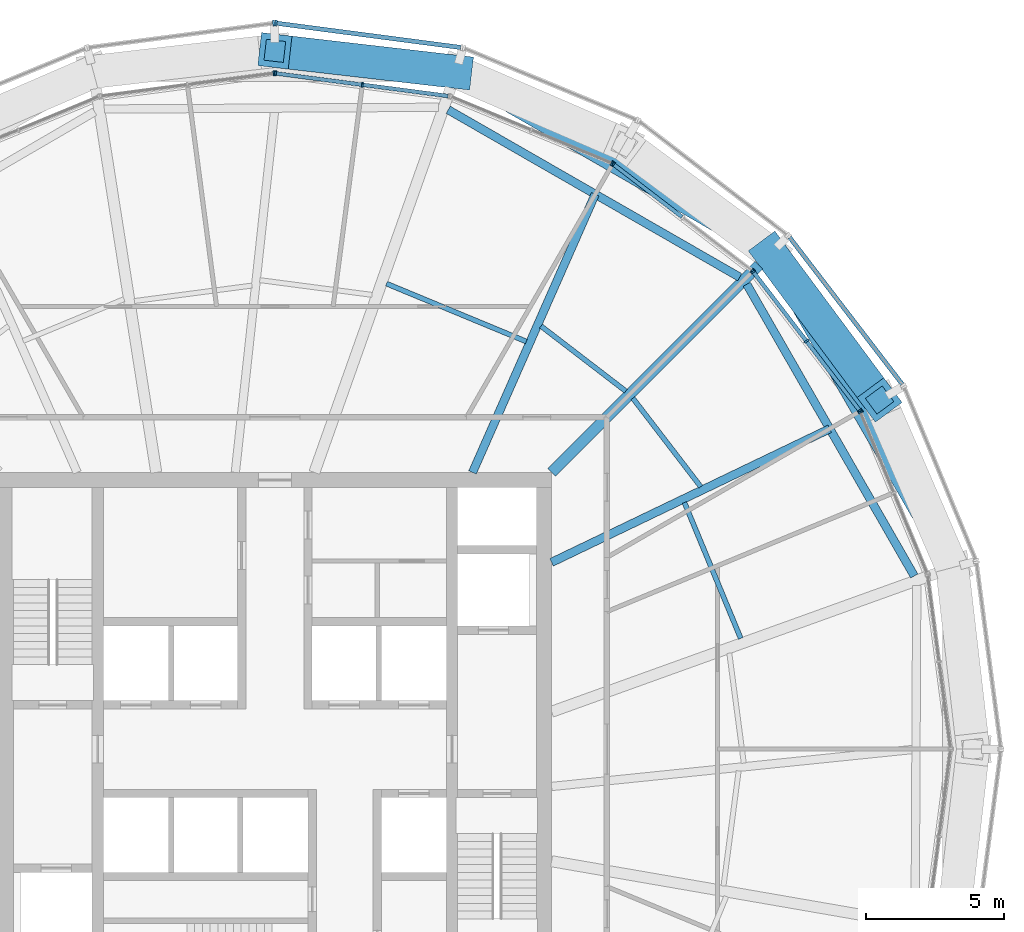
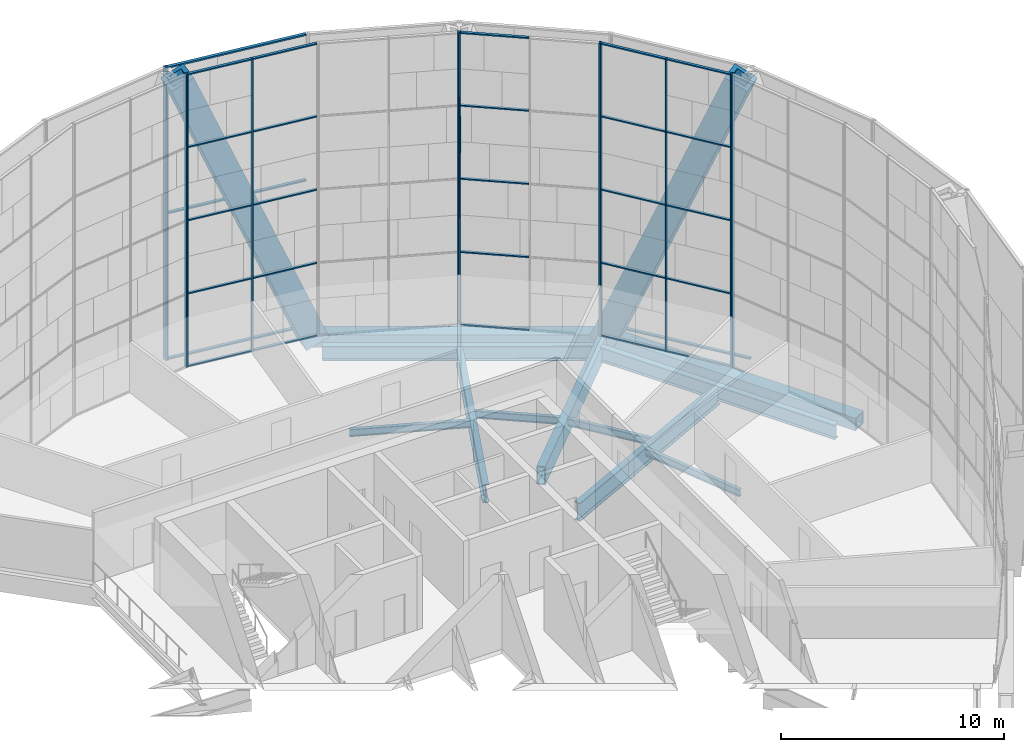
# One storey, part 10 of 28: 43 members, 11 beams, 9 elements without a shape of their own.
"""IFC4 building model written with IfcOpenShell, lengths in metres."""

from ifc_helpers import new_model, si_unit, direction, frame, origin, origin_2d, place, context, subcontext, project, spatial, rectangle, hollow_rectangle, i_section, extrude, material, material_profile, profile_set, type_object, element, aggregate, save


model = new_model("IFC4")

# Units and contexts
model_context = context("Model", 3, precision=1e-05, world=origin(), true_north=direction((0.0, 1.0)))
body_context = subcontext(model_context, "Body", "Model", "MODEL_VIEW")
ifc_project = project(units=[si_unit("LENGTHUNIT", "METRE"), si_unit("AREAUNIT", "SQUARE_METRE"), si_unit("VOLUMEUNIT", "CUBIC_METRE"), si_unit("PLANEANGLEUNIT", "RADIAN"), si_unit("MASSUNIT", "GRAM", prefix="KILO")], contexts=[model_context])

# Site, building, storey
site_placement = place(None, origin())
site = spatial("IfcSite", under=ifc_project, at=site_placement, CompositionType="ELEMENT")
building_placement = place(site_placement, origin())
building = spatial("IfcBuilding", under=site, at=building_placement, Name="Golbaran Civic Tower", CompositionType="ELEMENT")
storey_placement = place(building_placement, frame((0.0, 0.0, 134.0)))
storey = spatial("IfcBuildingStorey", under=building, at=storey_placement, Name="L32", CompositionType="ELEMENT", Elevation=134.0)

# Members
ifc_material_1 = material(Name="Steel S355", Category="steel")
ifc_material_profile_1 = material_profile(ifc_material_1, hollow_rectangle(XDim=1.199951171875, YDim=1.199951171875, WallThickness=0.219970703125, at=origin_2d()), Name="BOX 1200x1200x220")
ifc_profile_set_1 = profile_set([ifc_material_profile_1], Name="Steel S355")
member_type_1 = type_object("IfcMemberType", Name="DIAGRID DIAGONAL BOX 1200x1200x220", PredefinedType="BRACE", material=ifc_profile_set_1)
for number, where, z_axis, x_axis, name in (
    (1, (17.91796875, 17.91796875, -0.7099609375), (0.227361182302, -0.306265484914, 0.924396205927), (0.802932458843, 0.59607001815, 0.0), "Diagonal D07-01L L32-L36"),
    (2, (6.55859375, 24.4765625, -0.7099609375), (-0.37892043084, 0.043754138493, 0.92439433277), (-0.114708322129, -0.993399215237, 0.0), "Diagonal D07-02R L32-L36"),
):
    element("IfcMember", number, at=place(storey_placement, frame(where, z_axis=z_axis, x_axis=x_axis)), inside=storey, type_object=member_type_1, Name=name, PredefinedType="BRACE", context=body_context, shape_type="SweptSolid", body=[
        extrude(hollow_rectangle(XDim=1.199951171875, YDim=1.199951171875, WallThickness=0.219970703125, at=origin_2d()), origin(), (0.0, 0.0, 1.0), 17.30859375),
    ])

# Beams
ifc_material_profile_2 = material_profile(ifc_material_1, hollow_rectangle(XDim=0.699951171875, YDim=0.699951171875, WallThickness=0.080078125, at=origin_2d()), Name="BOX 700x700x80")
ifc_profile_set_2 = profile_set([ifc_material_profile_2], Name="Steel S355")
beam_type_1 = type_object("IfcBeamType", Name="DIAGRID RING TIE BOX 700x700x80", PredefinedType="BEAM", material=ifc_profile_set_2)
for number, where, z_axis, x_axis, name in (
    (3, (24.4765625, 6.55859375, -0.7099609375), (-0.500014611105, 0.866016967894, 0.0), (-0.866016967894, -0.500014611105, 0.0), "Ring tie 15.00 L32"),
    (4, (17.91796875, 17.91796875, -0.7099609375), (-0.866016967894, 0.500014611105, 0.0), (-0.500014611105, -0.866016967894, 0.0), "Ring tie 45.00 L32"),
):
    element("IfcBeam", number, at=place(storey_placement, frame(where, z_axis=z_axis, x_axis=x_axis)), inside=storey, type_object=beam_type_1, Name=name, PredefinedType="BEAM", context=body_context, shape_type="SweptSolid", body=[
        extrude(hollow_rectangle(XDim=0.699951171875, YDim=0.699951171875, WallThickness=0.080078125, at=origin_2d()), origin(), (0.0, 0.0, 1.0), 13.11669921875),
    ])
ifc_material_profile_3 = material_profile(ifc_material_1, i_section(OverallWidth=0.300048828125, OverallDepth=0.800048828125, WebThickness=0.017578125, FlangeThickness=0.032958984375, FilletRadius=0.030029296875, at=origin_2d()), Name="HEB 800")
ifc_profile_set_3 = profile_set([ifc_material_profile_3], Name="Steel S355")
beam_type_2 = type_object("IfcBeamType", Name="EDGE BEAM HEB 800", PredefinedType="BEAM", material=ifc_profile_set_3)
beam_1_placement = place(storey_placement, frame((23.106689453125, 6.2568359375, -0.60009765625), z_axis=(-0.497941643608, 0.86721053935, 0.0), x_axis=(-0.86721053935, -0.497941643608, 0.0)))
element("IfcBeam", 5, at=beam_1_placement, inside=storey, type_object=beam_type_2, Name="Edge beam 15.00 L32", PredefinedType="BEAM", context=body_context, shape_type="SweptSolid", body=[
    extrude(i_section(OverallWidth=0.300048828125, OverallDepth=0.800048828125, WebThickness=0.017578125, FlangeThickness=0.032958984375, FilletRadius=0.030029296875, at=origin_2d()), origin(), (0.0, 0.0, 1.0), 12.156494140625),
])
beam_2_placement = place(storey_placement, frame((16.799072265625, 17.053466796875, -0.60009765625), z_axis=(-0.867136748717, 0.498070134644, 0.0), x_axis=(-0.498070134644, -0.867136748717, 0.0)))
element("IfcBeam", 6, at=beam_2_placement, inside=storey, type_object=beam_type_2, Name="Edge beam 45.00 L32", PredefinedType="BEAM", context=body_context, shape_type="SweptSolid", body=[
    extrude(i_section(OverallWidth=0.300048828125, OverallDepth=0.800048828125, WebThickness=0.017578125, FlangeThickness=0.032958984375, FilletRadius=0.030029296875, at=origin_2d()), origin(), (0.0, 0.0, 1.0), 12.14990234375),
])
ifc_material_profile_4 = material_profile(ifc_material_1, i_section(OverallWidth=0.179931640625, OverallDepth=0.39990234375, WebThickness=0.008544921875, FlangeThickness=0.013427734375, FilletRadius=0.02099609375, at=origin_2d()), Name="IPE 400")
ifc_profile_set_4 = profile_set([ifc_material_profile_4], Name="Steel S355")
beam_type_3 = type_object("IfcBeamType", Name="FLOOR INFILL BEAM IPE 400", PredefinedType="BEAM", material=ifc_profile_set_4)
beam_3_placement = place(storey_placement, frame((16.835693359375, 4.000732421875, -0.39990234375), z_axis=(-0.382647920612, 0.923894241161, 0.0), x_axis=(-0.923894241161, -0.382647920612, 0.0)))
element("IfcBeam", 7, at=beam_3_placement, inside=storey, type_object=beam_type_3, Name="Infill beam 22.50 L32", PredefinedType="BEAM", context=body_context, shape_type="SweptSolid", body=[
    extrude(i_section(OverallWidth=0.179931640625, OverallDepth=0.39990234375, WebThickness=0.008544921875, FlangeThickness=0.013427734375, FilletRadius=0.02099609375, at=origin_2d()), origin(), (0.0, 0.0, 1.0), 5.3154296875),
])
beam_4_placement = place(storey_placement, frame((15.390625, 9.48291015625, -0.39990234375), z_axis=(-0.608779791041, 0.793339250271, 0.0), x_axis=(-0.793339250271, -0.608779791041, 0.0)))
element("IfcBeam", 8, at=beam_4_placement, inside=storey, type_object=beam_type_3, Name="Infill beam 37.50 L32", PredefinedType="BEAM", context=body_context, shape_type="SweptSolid", body=[
    extrude(i_section(OverallWidth=0.179931640625, OverallDepth=0.39990234375, WebThickness=0.008544921875, FlangeThickness=0.013427734375, FilletRadius=0.02099609375, at=origin_2d()), origin(), (0.0, 0.0, 1.0), 4.031982421875),
])
beam_5_placement = place(storey_placement, frame((12.681640625, 12.936279296875, -0.39990234375), z_axis=(-0.793344823717, 0.608772527864, 0.0), x_axis=(-0.608772527864, -0.793344823717, 0.0)))
element("IfcBeam", 9, at=beam_5_placement, inside=storey, type_object=beam_type_3, Name="Infill beam 52.50 L32", PredefinedType="BEAM", context=body_context, shape_type="SweptSolid", body=[
    extrude(i_section(OverallWidth=0.179931640625, OverallDepth=0.39990234375, WebThickness=0.008544921875, FlangeThickness=0.013427734375, FilletRadius=0.02099609375, at=origin_2d()), origin(), (0.0, 0.0, 1.0), 3.8623046875),
])
beam_6_placement = place(storey_placement, frame((9.087158203125, 14.7294921875, -0.39990234375), z_axis=(-0.923870401545, 0.382705475725, 0.0), x_axis=(-0.382705475725, -0.923870401545, 0.0)))
element("IfcBeam", 10, at=beam_6_placement, inside=storey, type_object=beam_type_3, Name="Infill beam 67.50 L32", PredefinedType="BEAM", context=body_context, shape_type="SweptSolid", body=[
    extrude(i_section(OverallWidth=0.179931640625, OverallDepth=0.39990234375, WebThickness=0.008544921875, FlangeThickness=0.013427734375, FilletRadius=0.02099609375, at=origin_2d()), origin(), (0.0, 0.0, 1.0), 5.466552734375),
])

# Curtain wall, member
ifc_material_2 = material(Name="Aluminium and glass", Category="aluminium")
curtain_wall_type_1 = type_object("IfcCurtainWallType", Name="INNER SKIN CURTAIN WALL", PredefinedType="NOTDEFINED", material=ifc_material_2)
curtain_wall_1_placement = place(storey_placement, origin())
curtain_wall_1 = element("IfcCurtainWall", 11, at=curtain_wall_1_placement, inside=storey, type_object=curtain_wall_type_1, Name="Inner skin L32 facet 2 CW1", ObjectType="INNER SKIN", PredefinedType="USERDEFINED")
ifc_material_3 = material(Name="Aluminium", Category="aluminium")
ifc_material_profile_5 = material_profile(ifc_material_3, rectangle(XDim=0.179931640625, YDim=0.06494140625, at=origin_2d()), Name="INNER SKIN CURTAIN WALL MULLION")
ifc_profile_set_5 = profile_set([ifc_material_profile_5], Name="Aluminium")
member_type_2 = type_object("IfcMemberType", Name="INNER SKIN CURTAIN WALL MULLION", PredefinedType="MULLION", material=ifc_profile_set_5)
member_1_placement = place(storey_placement, frame((21.1650390625, 12.182373046875, 0.0), z_axis=(0.0, 0.0, 1.0), x_axis=(-0.923879532485, -0.38268343243, 0.0)))
member_1 = element("IfcMember", 12, at=member_1_placement, type_object=member_type_2, Name="CW1 mullion 3", PredefinedType="MULLION", context=body_context, shape_type="SweptSolid", body=[
    extrude(rectangle(XDim=0.179931640625, YDim=0.06494140625, at=origin_2d()), origin(), (0.0, 0.0, 1.0), 16.0),
])
aggregate(curtain_wall_1, [member_1])

# Curtain wall, members
curtain_wall_2_placement = place(storey_placement, origin())
curtain_wall_2 = element("IfcCurtainWall", 13, at=curtain_wall_2_placement, inside=storey, type_object=curtain_wall_type_1, Name="Inner skin L32 facet 3 CW1", ObjectType="INNER SKIN", PredefinedType="USERDEFINED")
member_2_placement = place(storey_placement, frame((21.1328125, 12.23828125, 0.0), z_axis=(0.0, 0.0, 1.0), x_axis=(-0.793353340259, -0.60876142905, 0.0)))
member_2 = element("IfcMember", 14, at=member_2_placement, type_object=member_type_2, Name="CW1 mullion 1", PredefinedType="MULLION", context=body_context, shape_type="SweptSolid", body=[
    extrude(rectangle(XDim=0.179931640625, YDim=0.06494140625, at=origin_2d()), origin(), (0.0, 0.0, 1.0), 16.0),
])
member_3_placement = place(storey_placement, frame((19.2119140625, 14.74169921875, 0.0), z_axis=(0.0, 0.0, 1.0), x_axis=(-0.793353340259, -0.60876142905, 0.0)))
member_3 = element("IfcMember", 15, at=member_3_placement, type_object=member_type_2, Name="CW1 mullion 2", PredefinedType="MULLION", context=body_context, shape_type="SweptSolid", body=[
    extrude(rectangle(XDim=0.179931640625, YDim=0.06494140625, at=origin_2d()), origin(), (0.0, 0.0, 1.0), 16.0),
])
member_4_placement = place(storey_placement, frame((17.290771484375, 17.245361328125, 0.0), z_axis=(0.0, 0.0, 1.0), x_axis=(-0.793353340259, -0.60876142905, 0.0)))
member_4 = element("IfcMember", 16, at=member_4_placement, type_object=member_type_2, Name="CW1 mullion 3", PredefinedType="MULLION", context=body_context, shape_type="SweptSolid", body=[
    extrude(rectangle(XDim=0.179931640625, YDim=0.06494140625, at=origin_2d()), origin(), (0.0, 0.0, 1.0), 16.0),
])

curtain_wall_3_placement = place(storey_placement, origin())
curtain_wall_3 = element("IfcCurtainWall", 17, at=curtain_wall_3_placement, inside=storey, type_object=curtain_wall_type_1, Name="Inner skin L32 facet 4 CW1", ObjectType="INNER SKIN", PredefinedType="USERDEFINED")
member_5_placement = place(storey_placement, frame((17.245361328125, 17.290771484375, 0.0), z_axis=(0.0, 0.0, 1.0), x_axis=(-0.60876142905, -0.793353340259, 0.0)))
member_5 = element("IfcMember", 18, at=member_5_placement, type_object=member_type_2, Name="CW1 mullion 1", PredefinedType="MULLION", context=body_context, shape_type="SweptSolid", body=[
    extrude(rectangle(XDim=0.179931640625, YDim=0.06494140625, at=origin_2d()), origin(), (0.0, 0.0, 1.0), 16.0),
])
member_6_placement = place(storey_placement, frame((12.23828125, 21.1328125, 0.0), z_axis=(0.0, 0.0, 1.0), x_axis=(-0.60876142905, -0.793353340259, 0.0)))
member_6 = element("IfcMember", 19, at=member_6_placement, type_object=member_type_2, Name="CW1 mullion 3", PredefinedType="MULLION", context=body_context, shape_type="SweptSolid", body=[
    extrude(rectangle(XDim=0.179931640625, YDim=0.06494140625, at=origin_2d()), origin(), (0.0, 0.0, 1.0), 16.0),
])

# Curtain wall, member
curtain_wall_4_placement = place(storey_placement, origin())
curtain_wall_4 = element("IfcCurtainWall", 20, at=curtain_wall_4_placement, inside=storey, type_object=curtain_wall_type_1, Name="Inner skin L32 facet 5 CW1", ObjectType="INNER SKIN", PredefinedType="USERDEFINED")
member_7_placement = place(storey_placement, frame((12.182373046875, 21.1650390625, 0.0), z_axis=(0.0, 0.0, 1.0), x_axis=(-0.38268343243, -0.923879532485, 0.0)))
member_7 = element("IfcMember", 21, at=member_7_placement, type_object=member_type_2, Name="CW1 mullion 1", PredefinedType="MULLION", context=body_context, shape_type="SweptSolid", body=[
    extrude(rectangle(XDim=0.179931640625, YDim=0.06494140625, at=origin_2d()), origin(), (0.0, 0.0, 1.0), 16.0),
])
aggregate(curtain_wall_4, [member_7])

# Curtain wall, members
curtain_wall_5_placement = place(storey_placement, origin())
curtain_wall_5 = element("IfcCurtainWall", 22, at=curtain_wall_5_placement, inside=storey, type_object=curtain_wall_type_1, Name="Inner skin L32 facet 6 CW1", ObjectType="INNER SKIN", PredefinedType="USERDEFINED")
member_8_placement = place(storey_placement, frame((3.160888671875, 24.0087890625, 0.0), z_axis=(0.0, 0.0, 1.0), x_axis=(-0.130526192237, -0.991444861372, 0.0)))
member_8 = element("IfcMember", 23, at=member_8_placement, type_object=member_type_2, Name="CW1 mullion 2", PredefinedType="MULLION", context=body_context, shape_type="SweptSolid", body=[
    extrude(rectangle(XDim=0.179931640625, YDim=0.06494140625, at=origin_2d()), origin(), (0.0, 0.0, 1.0), 16.0),
])
member_9_placement = place(storey_placement, frame((0.0322265625, 24.420654296875, 0.0), z_axis=(0.0, 0.0, 1.0), x_axis=(-0.130526192237, -0.991444861372, 0.0)))
member_9 = element("IfcMember", 24, at=member_9_placement, type_object=member_type_2, Name="CW1 mullion 3", PredefinedType="MULLION", context=body_context, shape_type="SweptSolid", body=[
    extrude(rectangle(XDim=0.179931640625, YDim=0.06494140625, at=origin_2d()), origin(), (0.0, 0.0, 1.0), 16.0),
])

# Curtain wall, member
curtain_wall_6_placement = place(storey_placement, origin())
curtain_wall_6 = element("IfcCurtainWall", 25, at=curtain_wall_6_placement, inside=storey, type_object=curtain_wall_type_1, Name="Inner skin L32 facet 7 CW1", ObjectType="INNER SKIN", PredefinedType="USERDEFINED")
member_10_placement = place(storey_placement, frame((-0.0322265625, 24.420654296875, 0.0), z_axis=(0.0, 0.0, 1.0), x_axis=(0.130526192237, -0.991444861372, 0.0)))
member_10 = element("IfcMember", 26, at=member_10_placement, type_object=member_type_2, Name="CW1 mullion 1", PredefinedType="MULLION", context=body_context, shape_type="SweptSolid", body=[
    extrude(rectangle(XDim=0.179931640625, YDim=0.06494140625, at=origin_2d()), origin(), (0.0, 0.0, 1.0), 16.0),
])
aggregate(curtain_wall_6, [member_10])

# Member
ifc_material_profile_6 = material_profile(ifc_material_3, rectangle(XDim=0.139892578125, YDim=0.06494140625, at=origin_2d()), Name="INNER SKIN CURTAIN WALL TRANSOM")
ifc_profile_set_6 = profile_set([ifc_material_profile_6], Name="Aluminium")
member_type_3 = type_object("IfcMemberType", Name="INNER SKIN CURTAIN WALL TRANSOM", PredefinedType="USERDEFINED", material=ifc_profile_set_6)
member_11_placement = place(storey_placement, frame((21.113037109375, 12.26416015625, 0.032470703125), z_axis=(-0.608748255763, 0.793363448304, 0.0), x_axis=(-0.793363448304, -0.608748255763, 0.0)))
member_11 = element("IfcMember", 27, at=member_11_placement, type_object=member_type_3, Name="CW1 transom 1.1", ObjectType="TRANSOM", PredefinedType="USERDEFINED", context=body_context, shape_type="SweptSolid", body=[
    extrude(rectangle(XDim=0.139892578125, YDim=0.06494140625, at=origin_2d()), origin(), (0.0, 0.0, 1.0), 3.090576171875),
])

member_12_placement = place(storey_placement, frame((21.113037109375, 12.26416015625, 4.0), z_axis=(-0.608748255763, 0.793363448304, 0.0), x_axis=(-0.793363448304, -0.608748255763, 0.0)))
member_12 = element("IfcMember", 28, at=member_12_placement, type_object=member_type_3, Name="CW1 transom 1.2", ObjectType="TRANSOM", PredefinedType="USERDEFINED", context=body_context, shape_type="SweptSolid", body=[
    extrude(rectangle(XDim=0.139892578125, YDim=0.06494140625, at=origin_2d()), origin(), (0.0, 0.0, 1.0), 3.090576171875),
])

member_13_placement = place(storey_placement, frame((21.113037109375, 12.26416015625, 8.0), z_axis=(-0.608748255763, 0.793363448304, 0.0), x_axis=(-0.793363448304, -0.608748255763, 0.0)))
member_13 = element("IfcMember", 29, at=member_13_placement, type_object=member_type_3, Name="CW1 transom 1.3", ObjectType="TRANSOM", PredefinedType="USERDEFINED", context=body_context, shape_type="SweptSolid", body=[
    extrude(rectangle(XDim=0.139892578125, YDim=0.06494140625, at=origin_2d()), origin(), (0.0, 0.0, 1.0), 3.090576171875),
])

member_14_placement = place(storey_placement, frame((21.113037109375, 12.26416015625, 12.0), z_axis=(-0.608748255763, 0.793363448304, 0.0), x_axis=(-0.793363448304, -0.608748255763, 0.0)))
member_14 = element("IfcMember", 30, at=member_14_placement, type_object=member_type_3, Name="CW1 transom 1.4", ObjectType="TRANSOM", PredefinedType="USERDEFINED", context=body_context, shape_type="SweptSolid", body=[
    extrude(rectangle(XDim=0.139892578125, YDim=0.06494140625, at=origin_2d()), origin(), (0.0, 0.0, 1.0), 3.090576171875),
])

member_15_placement = place(storey_placement, frame((21.113037109375, 12.26416015625, 15.967529296875), z_axis=(-0.608748255763, 0.793363448304, 0.0), x_axis=(-0.793363448304, -0.608748255763, 0.0)))
member_15 = element("IfcMember", 31, at=member_15_placement, type_object=member_type_3, Name="CW1 transom 1.5", ObjectType="TRANSOM", PredefinedType="USERDEFINED", context=body_context, shape_type="SweptSolid", body=[
    extrude(rectangle(XDim=0.139892578125, YDim=0.06494140625, at=origin_2d()), origin(), (0.0, 0.0, 1.0), 3.090576171875),
])

member_16_placement = place(storey_placement, frame((19.192138671875, 14.767578125, 0.032470703125), z_axis=(-0.608797974693, 0.793325296464, 0.0), x_axis=(-0.793325296464, -0.608797974693, 0.0)))
member_16 = element("IfcMember", 32, at=member_16_placement, type_object=member_type_3, Name="CW1 transom 2.1", ObjectType="TRANSOM", PredefinedType="USERDEFINED", context=body_context, shape_type="SweptSolid", body=[
    extrude(rectangle(XDim=0.139892578125, YDim=0.06494140625, at=origin_2d()), origin(), (0.0, 0.0, 1.0), 3.090576171875),
])

member_17_placement = place(storey_placement, frame((19.192138671875, 14.767578125, 4.0), z_axis=(-0.608797974693, 0.793325296464, 0.0), x_axis=(-0.793325296464, -0.608797974693, 0.0)))
member_17 = element("IfcMember", 33, at=member_17_placement, type_object=member_type_3, Name="CW1 transom 2.2", ObjectType="TRANSOM", PredefinedType="USERDEFINED", context=body_context, shape_type="SweptSolid", body=[
    extrude(rectangle(XDim=0.139892578125, YDim=0.06494140625, at=origin_2d()), origin(), (0.0, 0.0, 1.0), 3.090576171875),
])

member_18_placement = place(storey_placement, frame((19.192138671875, 14.767578125, 8.0), z_axis=(-0.608797974693, 0.793325296464, 0.0), x_axis=(-0.793325296464, -0.608797974693, 0.0)))
member_18 = element("IfcMember", 34, at=member_18_placement, type_object=member_type_3, Name="CW1 transom 2.3", ObjectType="TRANSOM", PredefinedType="USERDEFINED", context=body_context, shape_type="SweptSolid", body=[
    extrude(rectangle(XDim=0.139892578125, YDim=0.06494140625, at=origin_2d()), origin(), (0.0, 0.0, 1.0), 3.090576171875),
])

member_19_placement = place(storey_placement, frame((19.192138671875, 14.767578125, 12.0), z_axis=(-0.608797974693, 0.793325296464, 0.0), x_axis=(-0.793325296464, -0.608797974693, 0.0)))
member_19 = element("IfcMember", 35, at=member_19_placement, type_object=member_type_3, Name="CW1 transom 2.4", ObjectType="TRANSOM", PredefinedType="USERDEFINED", context=body_context, shape_type="SweptSolid", body=[
    extrude(rectangle(XDim=0.139892578125, YDim=0.06494140625, at=origin_2d()), origin(), (0.0, 0.0, 1.0), 3.090576171875),
])

member_20_placement = place(storey_placement, frame((19.192138671875, 14.767578125, 15.967529296875), z_axis=(-0.608797974693, 0.793325296464, 0.0), x_axis=(-0.793325296464, -0.608797974693, 0.0)))
member_20 = element("IfcMember", 36, at=member_20_placement, type_object=member_type_3, Name="CW1 transom 2.5", ObjectType="TRANSOM", PredefinedType="USERDEFINED", context=body_context, shape_type="SweptSolid", body=[
    extrude(rectangle(XDim=0.139892578125, YDim=0.06494140625, at=origin_2d()), origin(), (0.0, 0.0, 1.0), 3.090576171875),
])

aggregate(curtain_wall_2, [member_2, member_3, member_4, member_11, member_12, member_13, member_14, member_15, member_16, member_17, member_18, member_19, member_20])

member_21_placement = place(storey_placement, frame((14.716064453125, 19.231689453125, 0.032470703125), z_axis=(-0.793363448304, 0.608748255763, 0.0), x_axis=(-0.608748255763, -0.793363448304, 0.0)))
member_21 = element("IfcMember", 37, at=member_21_placement, type_object=member_type_3, Name="CW1 transom 2.1", ObjectType="TRANSOM", PredefinedType="USERDEFINED", context=body_context, shape_type="SweptSolid", body=[
    extrude(rectangle(XDim=0.139892578125, YDim=0.06494140625, at=origin_2d()), origin(), (0.0, 0.0, 1.0), 3.090576171875),
])

member_22_placement = place(storey_placement, frame((14.716064453125, 19.231689453125, 4.0), z_axis=(-0.793363448304, 0.608748255763, 0.0), x_axis=(-0.608748255763, -0.793363448304, 0.0)))
member_22 = element("IfcMember", 38, at=member_22_placement, type_object=member_type_3, Name="CW1 transom 2.2", ObjectType="TRANSOM", PredefinedType="USERDEFINED", context=body_context, shape_type="SweptSolid", body=[
    extrude(rectangle(XDim=0.139892578125, YDim=0.06494140625, at=origin_2d()), origin(), (0.0, 0.0, 1.0), 3.090576171875),
])

member_23_placement = place(storey_placement, frame((14.716064453125, 19.231689453125, 8.0), z_axis=(-0.793363448304, 0.608748255763, 0.0), x_axis=(-0.608748255763, -0.793363448304, 0.0)))
member_23 = element("IfcMember", 39, at=member_23_placement, type_object=member_type_3, Name="CW1 transom 2.3", ObjectType="TRANSOM", PredefinedType="USERDEFINED", context=body_context, shape_type="SweptSolid", body=[
    extrude(rectangle(XDim=0.139892578125, YDim=0.06494140625, at=origin_2d()), origin(), (0.0, 0.0, 1.0), 3.090576171875),
])

member_24_placement = place(storey_placement, frame((14.716064453125, 19.231689453125, 12.0), z_axis=(-0.793363448304, 0.608748255763, 0.0), x_axis=(-0.608748255763, -0.793363448304, 0.0)))
member_24 = element("IfcMember", 40, at=member_24_placement, type_object=member_type_3, Name="CW1 transom 2.4", ObjectType="TRANSOM", PredefinedType="USERDEFINED", context=body_context, shape_type="SweptSolid", body=[
    extrude(rectangle(XDim=0.139892578125, YDim=0.06494140625, at=origin_2d()), origin(), (0.0, 0.0, 1.0), 3.090576171875),
])

member_25_placement = place(storey_placement, frame((14.716064453125, 19.231689453125, 15.967529296875), z_axis=(-0.793363448304, 0.608748255763, 0.0), x_axis=(-0.608748255763, -0.793363448304, 0.0)))
member_25 = element("IfcMember", 41, at=member_25_placement, type_object=member_type_3, Name="CW1 transom 2.5", ObjectType="TRANSOM", PredefinedType="USERDEFINED", context=body_context, shape_type="SweptSolid", body=[
    extrude(rectangle(XDim=0.139892578125, YDim=0.06494140625, at=origin_2d()), origin(), (0.0, 0.0, 1.0), 3.090576171875),
])

aggregate(curtain_wall_3, [member_5, member_6, member_21, member_22, member_23, member_24, member_25])

member_26_placement = place(storey_placement, frame((6.25732421875, 23.601318359375, 0.032470703125), z_axis=(-0.991448648373, 0.13049742388, 0.0), x_axis=(-0.13049742388, -0.991448648373, 0.0)))
member_26 = element("IfcMember", 42, at=member_26_placement, type_object=member_type_3, Name="CW1 transom 1.1", ObjectType="TRANSOM", PredefinedType="USERDEFINED", context=body_context, shape_type="SweptSolid", body=[
    extrude(rectangle(XDim=0.139892578125, YDim=0.06494140625, at=origin_2d()), origin(), (0.0, 0.0, 1.0), 3.090576171875),
])

member_27_placement = place(storey_placement, frame((6.25732421875, 23.601318359375, 4.0), z_axis=(-0.991448648373, 0.13049742388, 0.0), x_axis=(-0.13049742388, -0.991448648373, 0.0)))
member_27 = element("IfcMember", 43, at=member_27_placement, type_object=member_type_3, Name="CW1 transom 1.2", ObjectType="TRANSOM", PredefinedType="USERDEFINED", context=body_context, shape_type="SweptSolid", body=[
    extrude(rectangle(XDim=0.139892578125, YDim=0.06494140625, at=origin_2d()), origin(), (0.0, 0.0, 1.0), 3.090576171875),
])

member_28_placement = place(storey_placement, frame((6.25732421875, 23.601318359375, 8.0), z_axis=(-0.991448648373, 0.13049742388, 0.0), x_axis=(-0.13049742388, -0.991448648373, 0.0)))
member_28 = element("IfcMember", 44, at=member_28_placement, type_object=member_type_3, Name="CW1 transom 1.3", ObjectType="TRANSOM", PredefinedType="USERDEFINED", context=body_context, shape_type="SweptSolid", body=[
    extrude(rectangle(XDim=0.139892578125, YDim=0.06494140625, at=origin_2d()), origin(), (0.0, 0.0, 1.0), 3.090576171875),
])

member_29_placement = place(storey_placement, frame((6.25732421875, 23.601318359375, 12.0), z_axis=(-0.991448648373, 0.13049742388, 0.0), x_axis=(-0.13049742388, -0.991448648373, 0.0)))
member_29 = element("IfcMember", 45, at=member_29_placement, type_object=member_type_3, Name="CW1 transom 1.4", ObjectType="TRANSOM", PredefinedType="USERDEFINED", context=body_context, shape_type="SweptSolid", body=[
    extrude(rectangle(XDim=0.139892578125, YDim=0.06494140625, at=origin_2d()), origin(), (0.0, 0.0, 1.0), 3.090576171875),
])

member_30_placement = place(storey_placement, frame((6.25732421875, 23.601318359375, 15.967529296875), z_axis=(-0.991448648373, 0.13049742388, 0.0), x_axis=(-0.13049742388, -0.991448648373, 0.0)))
member_30 = element("IfcMember", 46, at=member_30_placement, type_object=member_type_3, Name="CW1 transom 1.5", ObjectType="TRANSOM", PredefinedType="USERDEFINED", context=body_context, shape_type="SweptSolid", body=[
    extrude(rectangle(XDim=0.139892578125, YDim=0.06494140625, at=origin_2d()), origin(), (0.0, 0.0, 1.0), 3.090576171875),
])

member_31_placement = place(storey_placement, frame((3.128662109375, 24.01318359375, 0.032470703125), z_axis=(-0.991448648373, 0.13049742388, 0.0), x_axis=(-0.13049742388, -0.991448648373, 0.0)))
member_31 = element("IfcMember", 47, at=member_31_placement, type_object=member_type_3, Name="CW1 transom 2.1", ObjectType="TRANSOM", PredefinedType="USERDEFINED", context=body_context, shape_type="SweptSolid", body=[
    extrude(rectangle(XDim=0.139892578125, YDim=0.06494140625, at=origin_2d()), origin(), (0.0, 0.0, 1.0), 3.090576171875),
])

member_32_placement = place(storey_placement, frame((3.128662109375, 24.01318359375, 4.0), z_axis=(-0.991448648373, 0.13049742388, 0.0), x_axis=(-0.13049742388, -0.991448648373, 0.0)))
member_32 = element("IfcMember", 48, at=member_32_placement, type_object=member_type_3, Name="CW1 transom 2.2", ObjectType="TRANSOM", PredefinedType="USERDEFINED", context=body_context, shape_type="SweptSolid", body=[
    extrude(rectangle(XDim=0.139892578125, YDim=0.06494140625, at=origin_2d()), origin(), (0.0, 0.0, 1.0), 3.090576171875),
])

member_33_placement = place(storey_placement, frame((3.128662109375, 24.01318359375, 8.0), z_axis=(-0.991448648373, 0.13049742388, 0.0), x_axis=(-0.13049742388, -0.991448648373, 0.0)))
member_33 = element("IfcMember", 49, at=member_33_placement, type_object=member_type_3, Name="CW1 transom 2.3", ObjectType="TRANSOM", PredefinedType="USERDEFINED", context=body_context, shape_type="SweptSolid", body=[
    extrude(rectangle(XDim=0.139892578125, YDim=0.06494140625, at=origin_2d()), origin(), (0.0, 0.0, 1.0), 3.090576171875),
])

member_34_placement = place(storey_placement, frame((3.128662109375, 24.01318359375, 12.0), z_axis=(-0.991448648373, 0.13049742388, 0.0), x_axis=(-0.13049742388, -0.991448648373, 0.0)))
member_34 = element("IfcMember", 50, at=member_34_placement, type_object=member_type_3, Name="CW1 transom 2.4", ObjectType="TRANSOM", PredefinedType="USERDEFINED", context=body_context, shape_type="SweptSolid", body=[
    extrude(rectangle(XDim=0.139892578125, YDim=0.06494140625, at=origin_2d()), origin(), (0.0, 0.0, 1.0), 3.090576171875),
])

member_35_placement = place(storey_placement, frame((3.128662109375, 24.01318359375, 15.967529296875), z_axis=(-0.991448648373, 0.13049742388, 0.0), x_axis=(-0.13049742388, -0.991448648373, 0.0)))
member_35 = element("IfcMember", 51, at=member_35_placement, type_object=member_type_3, Name="CW1 transom 2.5", ObjectType="TRANSOM", PredefinedType="USERDEFINED", context=body_context, shape_type="SweptSolid", body=[
    extrude(rectangle(XDim=0.139892578125, YDim=0.06494140625, at=origin_2d()), origin(), (0.0, 0.0, 1.0), 3.090576171875),
])

aggregate(curtain_wall_5, [member_8, member_9, member_26, member_27, member_28, member_29, member_30, member_31, member_32, member_33, member_34, member_35])

# Curtain wall, member
curtain_wall_type_2 = type_object("IfcCurtainWallType", Name="OUTER SKIN TERRACOTTA SCREEN", PredefinedType="NOTDEFINED", material=ifc_material_2)
curtain_wall_7_placement = place(storey_placement, origin())
curtain_wall_7 = element("IfcCurtainWall", 52, at=curtain_wall_7_placement, inside=storey, type_object=curtain_wall_type_2, Name="Outer skin L32 facet 6 CW3", ObjectType="OUTER SKIN", PredefinedType="USERDEFINED")
ifc_material_profile_7 = material_profile(ifc_material_3, rectangle(XDim=0.219970703125, YDim=0.080078125, at=origin_2d()), Name="OUTER SKIN TERRACOTTA SCREEN MULLION")
ifc_profile_set_7 = profile_set([ifc_material_profile_7], Name="Aluminium")
member_type_4 = type_object("IfcMemberType", Name="OUTER SKIN TERRACOTTA SCREEN MULLION", PredefinedType="MULLION", material=ifc_profile_set_7)
member_36_placement = place(storey_placement, frame((0.03955078125, 26.23486328125, -0.7099609375), z_axis=(0.0, 0.0, 1.0), x_axis=(-0.130526192203, -0.991444861376, 0.0)))
member_36 = element("IfcMember", 53, at=member_36_placement, type_object=member_type_4, Name="CW3 mullion 2", PredefinedType="MULLION", context=body_context, shape_type="SweptSolid", body=[
    extrude(rectangle(XDim=0.219970703125, YDim=0.080078125, at=origin_2d()), origin(), (0.0, 0.0, 1.0), 16.0),
])

curtain_wall_8_placement = place(storey_placement, origin())
curtain_wall_8 = element("IfcCurtainWall", 54, at=curtain_wall_8_placement, inside=storey, type_object=curtain_wall_type_2, Name="Outer skin L32 facet 7 CW3", ObjectType="OUTER SKIN", PredefinedType="USERDEFINED")
member_37_placement = place(storey_placement, frame((-0.03955078125, 26.23486328125, -0.7099609375), z_axis=(0.0, 0.0, 1.0), x_axis=(0.130526192203, -0.991444861376, 0.0)))
member_37 = element("IfcMember", 55, at=member_37_placement, type_object=member_type_4, Name="CW3 mullion 1", PredefinedType="MULLION", context=body_context, shape_type="SweptSolid", body=[
    extrude(rectangle(XDim=0.219970703125, YDim=0.080078125, at=origin_2d()), origin(), (0.0, 0.0, 1.0), 16.0),
])
aggregate(curtain_wall_8, [member_37])

curtain_wall_9_placement = place(storey_placement, origin())
curtain_wall_9 = element("IfcCurtainWall", 56, at=curtain_wall_9_placement, inside=storey, type_object=curtain_wall_type_2, Name="Outer skin L32 facet 3 CW3", ObjectType="OUTER SKIN", PredefinedType="USERDEFINED")
ifc_material_profile_8 = material_profile(ifc_material_3, rectangle(XDim=0.159912109375, YDim=0.080078125, at=origin_2d()), Name="OUTER SKIN TERRACOTTA SCREEN TRANSOM")
ifc_profile_set_8 = profile_set([ifc_material_profile_8], Name="Aluminium")
member_type_5 = type_object("IfcMemberType", Name="OUTER SKIN TERRACOTTA SCREEN TRANSOM", PredefinedType="USERDEFINED", material=ifc_profile_set_8)
member_38_placement = place(storey_placement, frame((22.67578125, 13.183349609375, -0.669921875), z_axis=(-0.608745609527, 0.793365478756, 0.0), x_axis=(-0.793365478756, -0.608745609527, 0.0)))
member_38 = element("IfcMember", 57, at=member_38_placement, type_object=member_type_5, Name="CW3 transom 1.1", ObjectType="TRANSOM", PredefinedType="USERDEFINED", context=body_context, shape_type="SweptSolid", body=[
    extrude(rectangle(XDim=0.159912109375, YDim=0.080078125, at=origin_2d()), origin(), (0.0, 0.0, 1.0), 6.68994140625),
])
aggregate(curtain_wall_9, [member_38])

# Member
member_39_placement = place(storey_placement, frame((6.712158203125, 25.3564453125, -0.669921875), z_axis=(-0.991448332371, 0.130499824667, 0.0), x_axis=(-0.130499824667, -0.991448332371, 0.0)))
member_39 = element("IfcMember", 58, at=member_39_placement, type_object=member_type_5, Name="CW3 transom 1.1", ObjectType="TRANSOM", PredefinedType="USERDEFINED", context=body_context, shape_type="SweptSolid", body=[
    extrude(rectangle(XDim=0.159912109375, YDim=0.080078125, at=origin_2d()), origin(), (0.0, 0.0, 1.0), 6.68994140625),
])

member_40_placement = place(storey_placement, frame((6.712158203125, 25.3564453125, 7.2900390625), z_axis=(-0.991448332371, 0.130499824667, 0.0), x_axis=(-0.130499824667, -0.991448332371, 0.0)))
member_40 = element("IfcMember", 59, at=member_40_placement, type_object=member_type_5, Name="CW3 transom 1.2", ObjectType="TRANSOM", PredefinedType="USERDEFINED", context=body_context, shape_type="SweptSolid", body=[
    extrude(rectangle(XDim=0.159912109375, YDim=0.080078125, at=origin_2d()), origin(), (0.0, 0.0, 1.0), 6.68994140625),
])

member_41_placement = place(storey_placement, frame((6.712158203125, 25.3564453125, 15.25), z_axis=(-0.991448332371, 0.130499824667, 0.0), x_axis=(-0.130499824667, -0.991448332371, 0.0)))
member_41 = element("IfcMember", 60, at=member_41_placement, type_object=member_type_5, Name="CW3 transom 1.3", ObjectType="TRANSOM", PredefinedType="USERDEFINED", context=body_context, shape_type="SweptSolid", body=[
    extrude(rectangle(XDim=0.159912109375, YDim=0.080078125, at=origin_2d()), origin(), (0.0, 0.0, 1.0), 6.68994140625),
])

aggregate(curtain_wall_7, [member_36, member_39, member_40, member_41])

# Beams
ifc_material_profile_9 = material_profile(ifc_material_1, hollow_rectangle(XDim=0.39990234375, YDim=1.0, WallThickness=0.0400390625, at=origin_2d()), Name="BOX 1000x400x40")
ifc_profile_set_9 = profile_set([ifc_material_profile_9], Name="Steel S355")
beam_type_4 = type_object("IfcBeamType", Name="RADIAL FLOOR BEAM BOX 1000x400x40", PredefinedType="BEAM", material=ifc_profile_set_9)
beam_7_placement = place(storey_placement, frame((10.0, 10.0, -0.7099609375), z_axis=(0.707106781187, 0.707106781187, 0.0), x_axis=(-0.707106781187, 0.707106781187, 0.0)))
element("IfcBeam", 61, at=beam_7_placement, inside=storey, type_object=beam_type_4, Name="Radial beam 45.00 L32", PredefinedType="BEAM", context=body_context, shape_type="SweptSolid", body=[
    extrude(hollow_rectangle(XDim=0.39990234375, YDim=1.0, WallThickness=0.0400390625, at=origin_2d()), origin(), (0.0, 0.0, 1.0), 10.59130859375),
])
ifc_material_profile_10 = material_profile(ifc_material_1, i_section(OverallWidth=0.300048828125, OverallDepth=1.0, WebThickness=0.01904296875, FlangeThickness=0.035888671875, FilletRadius=0.030029296875, at=origin_2d()), Name="HEB 1000")
ifc_profile_set_10 = profile_set([ifc_material_profile_10], Name="Steel S355")
beam_type_5 = type_object("IfcBeamType", Name="SECONDARY FLOOR BEAM HEB 1000", PredefinedType="BEAM", material=ifc_profile_set_10)
beam_8_placement = place(storey_placement, frame((10.0, 6.75, -0.7099609375), z_axis=(0.901446513606, 0.432890497826, 0.0), x_axis=(-0.432890497826, 0.901446513606, 0.0)))
element("IfcBeam", 62, at=beam_8_placement, inside=storey, type_object=beam_type_5, Name="Secondary beam 30.00 L32", PredefinedType="BEAM", context=body_context, shape_type="SweptSolid", body=[
    extrude(i_section(OverallWidth=0.300048828125, OverallDepth=1.0, WebThickness=0.01904296875, FlangeThickness=0.035888671875, FilletRadius=0.030029296875, at=origin_2d()), origin(), (0.0, 0.0, 1.0), 11.15087890625),
])
beam_9_placement = place(storey_placement, frame((7.142822265625, 10.0, -0.7099609375), z_axis=(0.403605194801, 0.914933247144, 0.0), x_axis=(-0.914933247144, 0.403605194801, 0.0)))
element("IfcBeam", 63, at=beam_9_placement, inside=storey, type_object=beam_type_5, Name="Secondary beam 60.00 L32", PredefinedType="BEAM", context=body_context, shape_type="SweptSolid", body=[
    extrude(i_section(OverallWidth=0.300048828125, OverallDepth=1.0, WebThickness=0.01904296875, FlangeThickness=0.035888671875, FilletRadius=0.030029296875, at=origin_2d()), origin(), (0.0, 0.0, 1.0), 10.9873046875),
])

save(model, "model.ifc")
